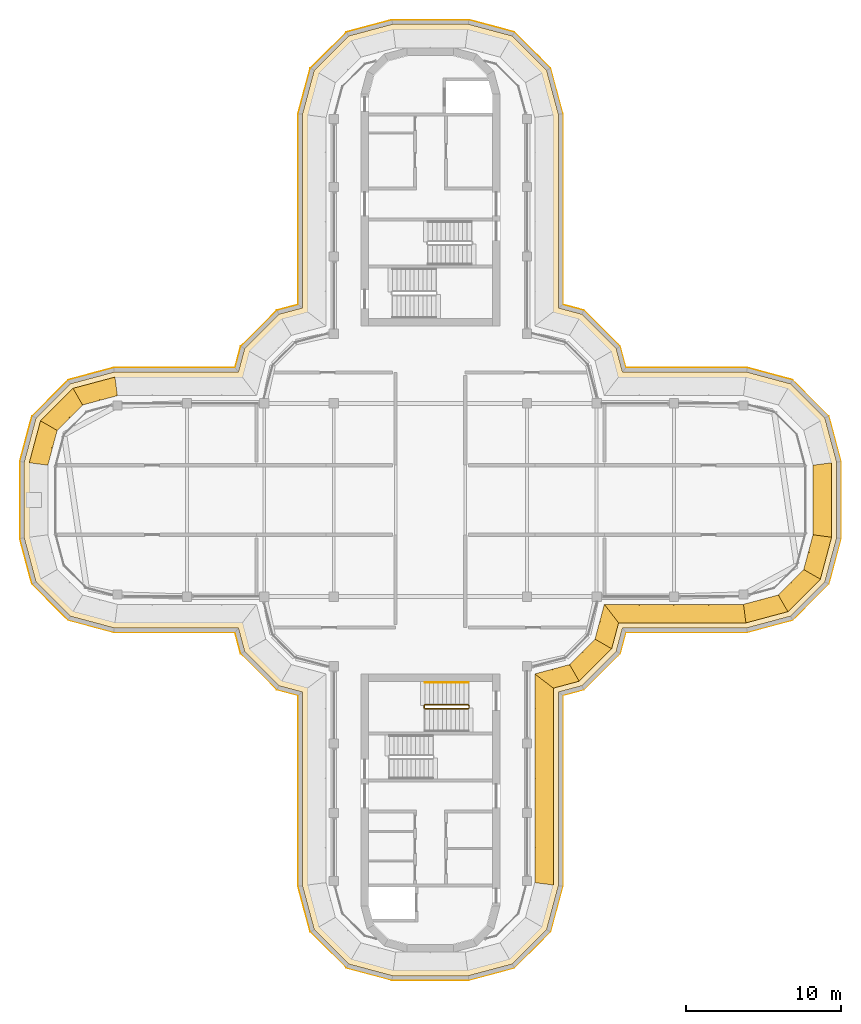
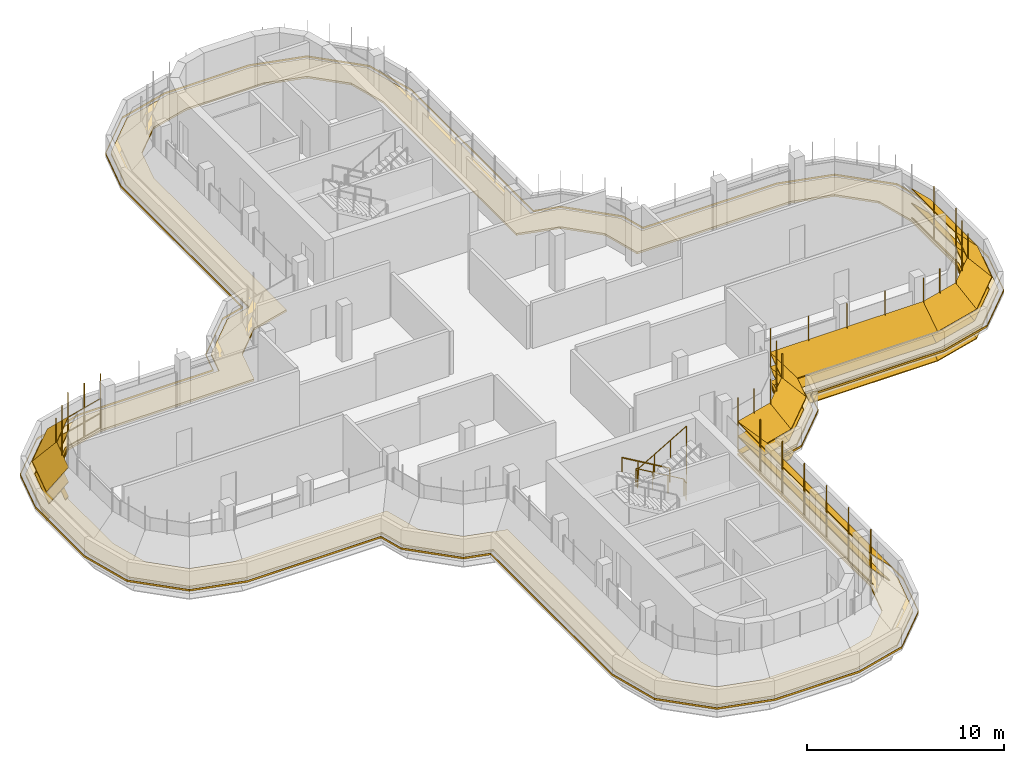
# One storey, part 17 of 19: 6 shading devices, 2 coverings, 2 railings.
"""IFC4 building model written with IfcOpenShell, lengths in metres."""

from ifc_helpers import new_model, si_unit, direction, frame, origin, origin_2d, place, context, subcontext, project, spatial, polyline, circle, outline, extrude, faceted_brep, source, transform, mapped, material, layer, layer_set, type_object, element, save


model = new_model("IFC4")

# Units and contexts
model_context = context("Model", 3, precision=1e-05, world=origin(), true_north=direction((0.0, 1.0)))
body_context = subcontext(model_context, "Body", "Model", "MODEL_VIEW")
ifc_project = project(units=[si_unit("LENGTHUNIT", "METRE"), si_unit("AREAUNIT", "SQUARE_METRE"), si_unit("VOLUMEUNIT", "CUBIC_METRE"), si_unit("PLANEANGLEUNIT", "RADIAN"), si_unit("MASSUNIT", "GRAM", prefix="KILO")], contexts=[model_context])

# Site, building, storey
site_placement = place(None, origin())
site = spatial("IfcSite", under=ifc_project, at=site_placement, CompositionType="ELEMENT")
building_placement = place(site_placement, origin())
building = spatial("IfcBuilding", under=site, at=building_placement, Name="Zarbagh Exchange Tower", CompositionType="ELEMENT")
storey_placement = place(building_placement, frame((0.0, 0.0, 295.199951171875)))
storey = spatial("IfcBuildingStorey", under=building, at=storey_placement, Name="L72", CompositionType="ELEMENT", Elevation=295.199951171875)

# Railings
ifc_material_1 = material(Name="Stainless steel", Category="steel")
railing_type_1 = type_object("IfcRailingType", Name="Stair guard 1100 mm", PredefinedType="GUARDRAIL", material=ifc_material_1)
railing_1_placement = place(storey_placement, frame((-0.35009765625, -13.5, 1.963623046875)))
element("IfcRailing", 1, at=railing_1_placement, inside=storey, type_object=railing_type_1, Name="ST4 stair guard 1", PredefinedType="GUARDRAIL", context=body_context, shape_type="SweptSolid", body=[
    extrude(circle(Radius=0.02392578125, at=origin_2d()), frame((0.0, 0.0, 1.076171875), z_axis=(0.863360870873, 0.0, 0.504586966384), x_axis=(0.0, 1.0, 0.0)), (0.0, 0.0, 1.0), 3.2431640625),
    extrude(circle(Radius=0.02392578125, at=origin_2d()), frame((2.800048828125, 0.0, 2.71240234375), z_axis=(0.013899389096, 0.013899389096, -0.999806788317), x_axis=(-0.707106781187, 0.707106781187, 0.0)), (0.0, 0.0, 1.0), 3.600830078125),
    extrude(circle(Radius=0.02392578125, at=origin_2d()), frame((2.85009765625, 0.050048828125, -0.8876953125), z_axis=(0.0, 1.0, 0.0), x_axis=(-1.0, 0.0, 0.0)), (0.0, 0.0, 1.0), 0.14990234375),
    extrude(circle(Radius=0.02392578125, at=origin_2d()), frame((2.85009765625, 0.199951171875, -0.8876953125), z_axis=(-0.280808744504, 0.280808744504, 0.917765164963), x_axis=(-0.707106781187, -0.707106781187, 0.0)), (0.0, 0.0, 1.0), 0.17822265625),
    extrude(circle(Radius=0.02392578125, at=origin_2d()), frame((2.800048828125, 0.25, -0.72412109375), z_axis=(-0.863360870873, 0.0, 0.504586966384), x_axis=(0.0, -1.0, 0.0)), (0.0, 0.0, 1.0), 3.2431640625),
    extrude(circle(Radius=0.02392578125, at=origin_2d()), frame((0.0, 0.25, 0.91259765625), z_axis=(-0.705375805398, -0.708833529934, 0.0), x_axis=(0.708833529934, -0.705375805398, 0.0)), (0.0, 0.0, 1.0), 0.070556640625),
    extrude(circle(Radius=0.02392578125, at=origin_2d()), frame((-0.0498046875, 0.199951171875, 0.91259765625), z_axis=(0.0, -1.0, 0.0), x_axis=(1.0, 0.0, 0.0)), (0.0, 0.0, 1.0), 0.14990234375),
    extrude(circle(Radius=0.02099609375, at=origin_2d()), origin(), (0.0, 0.0, 1.0), 1.052001953125),
    extrude(circle(Radius=0.02099609375, at=origin_2d()), frame((0.933349609375, 0.0, 0.54541015625)), (0.0, 0.0, 1.0), 1.052001953125),
    extrude(circle(Radius=0.02099609375, at=origin_2d()), frame((1.86669921875, 0.0, 1.091064453125)), (0.0, 0.0, 1.0), 1.052001953125),
    extrude(circle(Radius=0.02099609375, at=origin_2d()), frame((2.800048828125, 0.0, 1.636474609375)), (0.0, 0.0, 1.0), 1.052001953125),
    extrude(circle(Radius=0.02099609375, at=origin_2d()), frame((2.8125, 0.012451171875, 0.736328125)), (0.0, 0.0, 1.0), 1.052001953125),
    extrude(circle(Radius=0.02099609375, at=origin_2d()), frame((2.8251953125, 0.02490234375, -0.16357421875)), (0.0, 0.0, 1.0), 1.052001953125),
    extrude(circle(Radius=0.02099609375, at=origin_2d()), frame((2.837646484375, 0.03759765625, -1.0634765625)), (0.0, 0.0, 1.0), 1.052001953125),
    extrude(circle(Radius=0.02099609375, at=origin_2d()), frame((2.85009765625, 0.050048828125, -1.963623046875)), (0.0, 0.0, 1.0), 1.052001953125),
    extrude(circle(Radius=0.02099609375, at=origin_2d()), frame((2.85009765625, 0.199951171875, -1.963623046875)), (0.0, 0.0, 1.0), 1.052001953125),
    extrude(circle(Radius=0.02099609375, at=origin_2d()), frame((2.800048828125, 0.25, -1.800048828125)), (0.0, 0.0, 1.0), 1.052001953125),
    extrude(circle(Radius=0.02099609375, at=origin_2d()), frame((1.86669921875, 0.25, -1.254638671875)), (0.0, 0.0, 1.0), 1.052001953125),
    extrude(circle(Radius=0.02099609375, at=origin_2d()), frame((0.933349609375, 0.25, -0.708984375)), (0.0, 0.0, 1.0), 1.052001953125),
    extrude(circle(Radius=0.02099609375, at=origin_2d()), frame((0.0, 0.25, -0.16357421875)), (0.0, 0.0, 1.0), 1.052001953125),
    extrude(circle(Radius=0.02099609375, at=origin_2d()), frame((-0.0498046875, 0.199951171875, -0.16357421875)), (0.0, 0.0, 1.0), 1.052001953125),
    extrude(circle(Radius=0.02099609375, at=origin_2d()), frame((-0.0498046875, 0.050048828125, -0.16357421875)), (0.0, 0.0, 1.0), 1.052001953125),
])
railing_type_2 = type_object("IfcRailingType", Name="Stair handrail 900 mm", PredefinedType="HANDRAIL", material=ifc_material_1)
railing_2_placement = place(storey_placement, frame((2.449951171875, -11.800048828125, 0.16357421875)))
element("IfcRailing", 2, at=railing_2_placement, inside=storey, type_object=railing_type_2, Name="ST4 stair handrail 1", PredefinedType="HANDRAIL", context=body_context, shape_type="SweptSolid", body=[
    extrude(circle(Radius=0.02392578125, at=origin_2d()), frame((0.0, 0.0, 0.8759765625), z_axis=(-0.863360870873, 0.0, 0.504586966384), x_axis=(0.0, -1.0, 0.0)), (0.0, 0.0, 1.0), 3.2431640625),
    extrude(circle(Radius=0.02099609375, at=origin_2d()), origin(), (0.0, 0.0, 1.0), 0.851806640625),
    extrude(circle(Radius=0.02099609375, at=origin_2d()), frame((-0.933349609375, 0.0, 0.54541015625)), (0.0, 0.0, 1.0), 0.851806640625),
    extrude(circle(Radius=0.02099609375, at=origin_2d()), frame((-1.86669921875, 0.0, 1.091064453125)), (0.0, 0.0, 1.0), 0.851806640625),
    extrude(circle(Radius=0.02099609375, at=origin_2d()), frame((-2.800048828125, 0.0, 1.636474609375)), (0.0, 0.0, 1.0), 0.851806640625),
])

# Coverings
ifc_material_2 = material(Name="Bituminous membrane and screed")
ifc_layer = layer(ifc_material_2, 0.1201171875)
ifc_layer_set = layer_set([ifc_layer], Name="Terrace roofing build-up, waterproofing and screed")
covering_type = type_object("IfcCoveringType", Name="Terrace roofing build-up, waterproofing and screed", PredefinedType="ROOFING", material=ifc_layer_set)
covering_1_placement = place(storey_placement, origin())
element("IfcCovering", 3, at=covering_1_placement, inside=storey, type_object=covering_type, Name="crown roofing", PredefinedType="ROOFING", context=body_context, shape_type="SweptSolid", body=[
    extrude(outline(polyline([(-5.431640625, -30.260986328125), (-7.760986328125, -27.931640625), (-8.550048828125, -24.987060546875), (-8.550048828125, -12.631103515625), (-9.931640625, -12.260986328125), (-12.260986328125, -9.931640625), (-12.631103515625, -8.550048828125), (-20.487060546875, -8.550048828125), (-23.431640625, -7.760986328125), (-25.760986328125, -5.431640625), (-26.550048828125, -2.487060546875), (-26.550048828125, 2.487060546875), (-25.760986328125, 5.431640625), (-23.431640625, 7.760986328125), (-20.487060546875, 8.550048828125), (-12.631103515625, 8.550048828125), (-12.260986328125, 9.931640625), (-9.931640625, 12.260986328125), (-8.550048828125, 12.631103515625), (-8.550048828125, 24.987060546875), (-7.760986328125, 27.931640625), (-5.431640625, 30.260986328125), (-2.487060546875, 31.050048828125), (2.487060546875, 31.050048828125), (5.431640625, 30.260986328125), (7.760986328125, 27.931640625), (8.550048828125, 24.987060546875), (8.550048828125, 12.631103515625), (9.931640625, 12.260986328125), (12.260986328125, 9.931640625), (12.631103515625, 8.550048828125), (20.487060546875, 8.550048828125), (23.431640625, 7.760986328125), (25.760986328125, 5.431640625), (26.550048828125, 2.487060546875), (26.550048828125, -2.487060546875), (25.760986328125, -5.431640625), (23.431640625, -7.760986328125), (20.487060546875, -8.550048828125), (12.631103515625, -8.550048828125), (12.260986328125, -9.931640625), (9.931640625, -12.260986328125), (8.550048828125, -12.631103515625), (8.550048828125, -24.987060546875), (7.760986328125, -27.931640625), (5.431640625, -30.260986328125), (2.487060546875, -31.050048828125), (-2.487060546875, -31.050048828125), (-5.431640625, -30.260986328125)]), holes=[polyline([(-12.61572265625, -8.530029296875), (-12.242919921875, -9.92138671875), (-9.92138671875, -12.242919921875), (-8.530029296875, -12.61572265625), (-8.530029296875, -24.984375), (-7.742919921875, -27.92138671875), (-5.42138671875, -30.242919921875), (-2.484375, -31.030029296875), (2.484375, -31.030029296875), (5.42138671875, -30.242919921875), (7.742919921875, -27.92138671875), (8.530029296875, -24.984375), (8.530029296875, -12.61572265625), (9.92138671875, -12.242919921875), (12.242919921875, -9.92138671875), (12.61572265625, -8.530029296875), (20.484375, -8.530029296875), (23.42138671875, -7.742919921875), (25.742919921875, -5.42138671875), (26.530029296875, -2.484375), (26.530029296875, 2.484375), (25.742919921875, 5.42138671875), (23.42138671875, 7.742919921875), (20.484375, 8.530029296875), (12.61572265625, 8.530029296875), (12.242919921875, 9.92138671875), (9.92138671875, 12.242919921875), (8.530029296875, 12.61572265625), (8.530029296875, 24.984375), (7.742919921875, 27.92138671875), (5.42138671875, 30.242919921875), (2.484375, 31.030029296875), (-2.484375, 31.030029296875), (-5.42138671875, 30.242919921875), (-7.742919921875, 27.92138671875), (-8.530029296875, 24.984375), (-8.530029296875, 12.61572265625), (-9.92138671875, 12.242919921875), (-12.242919921875, 9.92138671875), (-12.61572265625, 8.530029296875), (-20.484375, 8.530029296875), (-23.42138671875, 7.742919921875), (-25.742919921875, 5.42138671875), (-26.530029296875, 2.484375), (-26.530029296875, -2.484375), (-25.742919921875, -5.42138671875), (-23.42138671875, -7.742919921875), (-20.484375, -8.530029296875), (-12.61572265625, -8.530029296875)])]), origin(), (0.0, 0.0, 1.0), 0.1201171875),
])
covering_2_placement = place(storey_placement, origin())
element("IfcCovering", 4, at=covering_2_placement, inside=storey, type_object=covering_type, Name="crown roofing", PredefinedType="ROOFING", context=body_context, shape_type="SweptSolid", body=[
    extrude(outline(polyline([(-8.280029296875, 24.951416015625), (-7.518798828125, 27.7919921875), (-5.2919921875, 30.018798828125), (-2.451416015625, 30.780029296875), (2.451416015625, 30.780029296875), (5.2919921875, 30.018798828125), (7.518798828125, 27.7919921875), (8.280029296875, 24.951416015625), (8.280029296875, 12.424072265625), (9.7919921875, 12.018798828125), (12.018798828125, 9.7919921875), (12.424072265625, 8.280029296875), (20.451416015625, 8.280029296875), (23.2919921875, 7.518798828125), (25.518798828125, 5.2919921875), (26.280029296875, 2.451416015625), (26.280029296875, -2.451416015625), (25.518798828125, -5.2919921875), (23.2919921875, -7.518798828125), (20.451416015625, -8.280029296875), (12.424072265625, -8.280029296875), (12.018798828125, -9.7919921875), (9.7919921875, -12.018798828125), (8.280029296875, -12.424072265625), (8.280029296875, -24.951416015625), (7.518798828125, -27.7919921875), (5.2919921875, -30.018798828125), (2.451416015625, -30.780029296875), (-2.451416015625, -30.780029296875), (-5.2919921875, -30.018798828125), (-7.518798828125, -27.7919921875), (-8.280029296875, -24.951416015625), (-8.280029296875, -12.424072265625), (-9.7919921875, -12.018798828125), (-12.018798828125, -9.7919921875), (-12.424072265625, -8.280029296875), (-20.451416015625, -8.280029296875), (-23.2919921875, -7.518798828125), (-25.518798828125, -5.2919921875), (-26.280029296875, -2.451416015625), (-26.280029296875, 2.451416015625), (-25.518798828125, 5.2919921875), (-23.2919921875, 7.518798828125), (-20.451416015625, 8.280029296875), (-12.424072265625, 8.280029296875), (-12.018798828125, 9.7919921875), (-9.7919921875, 12.018798828125), (-8.280029296875, 12.424072265625), (-8.280029296875, 24.951416015625)]), holes=[polyline([(6.147216796875, -27.0), (6.75, -24.75), (6.75, -11.25), (9.0, -10.647216796875), (10.647216796875, -9.0), (11.25, -6.75), (20.25, -6.75), (22.5, -6.147216796875), (24.147216796875, -4.5), (24.75, -2.25), (24.75, 2.25), (24.147216796875, 4.5), (22.5, 6.147216796875), (20.25, 6.75), (11.25, 6.75), (10.647216796875, 9.0), (9.0, 10.647216796875), (6.75, 11.25), (6.75, 24.75), (6.147216796875, 27.0), (4.5, 28.647216796875), (2.25, 29.25), (-2.25, 29.25), (-4.5, 28.647216796875), (-6.147216796875, 27.0), (-6.75, 24.75), (-6.75, 11.25), (-9.0, 10.647216796875), (-10.647216796875, 9.0), (-11.25, 6.75), (-20.25, 6.75), (-22.5, 6.147216796875), (-24.147216796875, 4.5), (-24.75, 2.25), (-24.75, -2.25), (-24.147216796875, -4.5), (-22.5, -6.147216796875), (-20.25, -6.75), (-11.25, -6.75), (-10.647216796875, -9.0), (-9.0, -10.647216796875), (-6.75, -11.25), (-6.75, -24.75), (-6.147216796875, -27.0), (-4.5, -28.647216796875), (-2.25, -29.25), (2.25, -29.25), (4.5, -28.647216796875), (6.147216796875, -27.0)])]), origin(), (0.0, 0.0, 1.0), 0.1201171875),
])

# Shading devices
ifc_material_3 = material(Name="Anodised aluminium blades and brackets", Category="aluminium")
shading_device_type = type_object("IfcShadingDeviceType", Name="SUNSHADE louvre band, 45 degree blades", PredefinedType="JALOUSIE", material=ifc_material_3)
shared_shape_1 = source(origin(), body_context, "Body", "Brep", [
    faceted_brep([(0.0, 0.0, 0.0), (0.0, 0.0, -0.056640625), (-0.157958984375, -1.199951171875, -1.256591796875), (-0.157958984375, -1.199951171875, -1.199951171875), (2.65087890625, -1.199951171875, -1.199951171875), (2.65087890625, -1.199951171875, -1.256591796875), (2.329345703125, 0.0, -0.056640625), (2.329345703125, 0.0, 0.0)], [[[0, 1, 2, 3]], [[4, 5, 6, 7]], [[0, 7, 6, 1]], [[1, 6, 5, 2]], [[2, 5, 4, 3]], [[3, 4, 7, 0]]]),
])
shared_shape_2 = source(origin(), body_context, "Body", "Brep", [
    faceted_brep([(0.0, 0.0, 0.0), (0.0, 0.0, -0.056640625), (-0.321533203125, -1.199951171875, -1.256591796875), (-0.321533203125, -1.199951171875, -1.199951171875), (2.65087890625, -1.199951171875, -1.199951171875), (2.65087890625, -1.199951171875, -1.256591796875), (2.329345703125, 0.0, -0.056640625), (2.329345703125, 0.0, 0.0)], [[[0, 1, 2, 3]], [[4, 5, 6, 7]], [[0, 7, 6, 1]], [[1, 6, 5, 2]], [[2, 5, 4, 3]], [[3, 4, 7, 0]]]),
])
shared_shape_3 = source(origin(), body_context, "Body", "Brep", [
    faceted_brep([(0.0, 0.0, 0.0), (0.0, 0.0, -0.056640625), (-0.321533203125, -1.199951171875, -1.256591796875), (-0.321533203125, -1.199951171875, -1.199951171875), (2.4873046875, -1.199951171875, -1.199951171875), (2.4873046875, -1.199951171875, -1.256591796875), (2.329345703125, 0.0, -0.056640625), (2.329345703125, 0.0, 0.0)], [[[0, 1, 2, 3]], [[4, 5, 6, 7]], [[0, 7, 6, 1]], [[1, 6, 5, 2]], [[2, 5, 4, 3]], [[3, 4, 7, 0]]]),
])
shared_shape_4 = source(origin(), body_context, "Body", "SweptSolid", [
    extrude(outline(polyline([(0.0, -0.012451171875), (0.06005859375, -0.012451171875), (0.06005859375, 0.012451171875), (0.0, 0.012451171875), (0.0, -0.012451171875)])), origin(), (0.0, 0.0, 1.0), 3.366455078125),
])
placement = place(storey_placement, origin())
element("IfcShadingDevice", 5, at=placement, inside=storey, type_object=shading_device_type, Name="SS58 sunshade band", PredefinedType="JALOUSIE", context=body_context, shape_type="MappedRepresentation", body=[
    mapped(shared_shape_1, transform((20.25, -6.75, 2.10009765625), x_axis=(0.965924289636, 0.258824779902, 0.0), y_axis=(-0.258824779902, 0.965924289636, 0.0), z_axis=(0.0, 0.0, 1.0))),
    mapped(shared_shape_1, transform((20.25, -6.75, 1.199951171875), x_axis=(0.965924289636, 0.258824779902, 0.0), y_axis=(-0.258824779902, 0.965924289636, 0.0), z_axis=(0.0, 0.0, 1.0))),
    mapped(shared_shape_1, transform((20.25, -6.75, 0.300048828125), x_axis=(0.965924289636, 0.258824779902, 0.0), y_axis=(-0.258824779902, 0.965924289636, 0.0), z_axis=(0.0, 0.0, 1.0))),
    mapped(shared_shape_2, transform((22.5, -6.147216796875, 2.10009765625), x_axis=(0.707106781187, 0.707106781187, 0.0), y_axis=(-0.707106781187, 0.707106781187, 0.0), z_axis=(0.0, 0.0, 1.0))),
    mapped(shared_shape_2, transform((22.5, -6.147216796875, 1.199951171875), x_axis=(0.707106781187, 0.707106781187, 0.0), y_axis=(-0.707106781187, 0.707106781187, 0.0), z_axis=(0.0, 0.0, 1.0))),
    mapped(shared_shape_2, transform((22.5, -6.147216796875, 0.300048828125), x_axis=(0.707106781187, 0.707106781187, 0.0), y_axis=(-0.707106781187, 0.707106781187, 0.0), z_axis=(0.0, 0.0, 1.0))),
    mapped(shared_shape_3, transform((24.147216796875, -4.5, 2.10009765625), x_axis=(0.258824779902, 0.965924289636, 0.0), y_axis=(-0.965924289636, 0.258824779902, 0.0), z_axis=(0.0, 0.0, 1.0))),
    mapped(shared_shape_3, transform((24.147216796875, -4.5, 1.199951171875), x_axis=(0.258824779902, 0.965924289636, 0.0), y_axis=(-0.965924289636, 0.258824779902, 0.0), z_axis=(0.0, 0.0, 1.0))),
    mapped(shared_shape_3, transform((24.147216796875, -4.5, 0.300048828125), x_axis=(0.258824779902, 0.965924289636, 0.0), y_axis=(-0.965924289636, 0.258824779902, 0.0), z_axis=(0.0, 0.0, 1.0))),
    mapped(shared_shape_4, transform((20.25, -6.75, 0.21337890625), x_axis=(0.130529263012, -0.991444457092, 0.0), y_axis=(0.991444457092, 0.130529263012, 0.0), z_axis=(0.0, 0.0, 1.0))),
    mapped(shared_shape_4, transform((21.375, -6.448486328125, 0.21337890625), x_axis=(0.258825058029, -0.96592421511, 0.0), y_axis=(0.96592421511, 0.258825058029, 0.0), z_axis=(0.0, 0.0, 1.0))),
    mapped(shared_shape_4, transform((22.5, -6.147216796875, 0.21337890625), x_axis=(0.50000275701, -0.866023812018, 0.0), y_axis=(0.866023812018, 0.50000275701, 0.0), z_axis=(0.0, 0.0, 1.0))),
    mapped(shared_shape_4, transform((23.323486328125, -5.323486328125, 0.21337890625), x_axis=(0.707106781187, -0.707106781187, 0.0), y_axis=(0.707106781187, 0.707106781187, 0.0), z_axis=(0.0, 0.0, 1.0))),
    mapped(shared_shape_4, transform((24.147216796875, -4.5, 0.21337890625), x_axis=(0.866023812018, -0.50000275701, 0.0), y_axis=(0.50000275701, 0.866023812018, 0.0), z_axis=(0.0, 0.0, 1.0))),
    mapped(shared_shape_4, transform((24.448486328125, -3.375, 0.21337890625), x_axis=(0.96592421511, -0.258825058029, 0.0), y_axis=(0.258825058029, 0.96592421511, 0.0), z_axis=(0.0, 0.0, 1.0))),
])
element("IfcShadingDevice", 6, at=placement, inside=storey, type_object=shading_device_type, Name="SS63 sunshade band", PredefinedType="JALOUSIE", context=body_context, shape_type="MappedRepresentation", body=[
    mapped(shared_shape_1, transform((-20.25, 6.75, 2.10009765625), x_axis=(-0.965924289636, -0.258824779902, 0.0), y_axis=(0.258824779902, -0.965924289636, 0.0), z_axis=(0.0, 0.0, 1.0))),
    mapped(shared_shape_1, transform((-20.25, 6.75, 1.199951171875), x_axis=(-0.965924289636, -0.258824779902, 0.0), y_axis=(0.258824779902, -0.965924289636, 0.0), z_axis=(0.0, 0.0, 1.0))),
    mapped(shared_shape_1, transform((-20.25, 6.75, 0.300048828125), x_axis=(-0.965924289636, -0.258824779902, 0.0), y_axis=(0.258824779902, -0.965924289636, 0.0), z_axis=(0.0, 0.0, 1.0))),
    mapped(shared_shape_2, transform((-22.5, 6.147216796875, 2.10009765625), x_axis=(-0.707106781187, -0.707106781187, 0.0), y_axis=(0.707106781187, -0.707106781187, 0.0), z_axis=(0.0, 0.0, 1.0))),
    mapped(shared_shape_2, transform((-22.5, 6.147216796875, 1.199951171875), x_axis=(-0.707106781187, -0.707106781187, 0.0), y_axis=(0.707106781187, -0.707106781187, 0.0), z_axis=(0.0, 0.0, 1.0))),
    mapped(shared_shape_2, transform((-22.5, 6.147216796875, 0.300048828125), x_axis=(-0.707106781187, -0.707106781187, 0.0), y_axis=(0.707106781187, -0.707106781187, 0.0), z_axis=(0.0, 0.0, 1.0))),
    mapped(shared_shape_3, transform((-24.147216796875, 4.5, 2.10009765625), x_axis=(-0.258824779902, -0.965924289636, 0.0), y_axis=(0.965924289636, -0.258824779902, 0.0), z_axis=(0.0, 0.0, 1.0))),
    mapped(shared_shape_3, transform((-24.147216796875, 4.5, 1.199951171875), x_axis=(-0.258824779902, -0.965924289636, 0.0), y_axis=(0.965924289636, -0.258824779902, 0.0), z_axis=(0.0, 0.0, 1.0))),
    mapped(shared_shape_3, transform((-24.147216796875, 4.5, 0.300048828125), x_axis=(-0.258824779902, -0.965924289636, 0.0), y_axis=(0.965924289636, -0.258824779902, 0.0), z_axis=(0.0, 0.0, 1.0))),
    mapped(shared_shape_4, transform((-20.25, 6.75, 0.21337890625), x_axis=(-0.130529263012, 0.991444457092, 0.0), y_axis=(-0.991444457092, -0.130529263012, 0.0), z_axis=(0.0, 0.0, 1.0))),
    mapped(shared_shape_4, transform((-21.375, 6.448486328125, 0.21337890625), x_axis=(-0.258825058029, 0.96592421511, 0.0), y_axis=(-0.96592421511, -0.258825058029, 0.0), z_axis=(0.0, 0.0, 1.0))),
    mapped(shared_shape_4, transform((-22.5, 6.147216796875, 0.21337890625), x_axis=(-0.50000275701, 0.866023812018, 0.0), y_axis=(-0.866023812018, -0.50000275701, 0.0), z_axis=(0.0, 0.0, 1.0))),
    mapped(shared_shape_4, transform((-23.323486328125, 5.323486328125, 0.21337890625), x_axis=(-0.707106781187, 0.707106781187, 0.0), y_axis=(-0.707106781187, -0.707106781187, 0.0), z_axis=(0.0, 0.0, 1.0))),
    mapped(shared_shape_4, transform((-24.147216796875, 4.5, 0.21337890625), x_axis=(-0.866023812018, 0.50000275701, 0.0), y_axis=(-0.50000275701, -0.866023812018, 0.0), z_axis=(0.0, 0.0, 1.0))),
    mapped(shared_shape_4, transform((-24.448486328125, 3.375, 0.21337890625), x_axis=(-0.96592421511, 0.258825058029, 0.0), y_axis=(-0.258825058029, -0.96592421511, 0.0), z_axis=(0.0, 0.0, 1.0))),
])
shared_shape_5 = source(origin(), body_context, "Body", "Brep", [
    faceted_brep([(0.0, 0.0, 0.0), (0.0, 0.0, -0.056640625), (0.9208984375, -1.199951171875, -1.256591796875), (0.9208984375, -1.199951171875, -1.199951171875), (2.65087890625, -1.199951171875, -1.199951171875), (2.65087890625, -1.199951171875, -1.256591796875), (2.329345703125, 0.0, -0.056640625), (2.329345703125, 0.0, 0.0)], [[[0, 1, 2, 3]], [[4, 5, 6, 7]], [[0, 7, 6, 1]], [[1, 6, 5, 2]], [[2, 5, 4, 3]], [[3, 4, 7, 0]]]),
])
shared_shape_6 = source(origin(), body_context, "Body", "Brep", [
    faceted_brep([(0.0, 0.0, 0.0), (0.0, 0.0, -0.056640625), (-0.321533203125, -1.199951171875, -1.256591796875), (-0.321533203125, -1.199951171875, -1.199951171875), (1.40869140625, -1.199951171875, -1.199951171875), (1.40869140625, -1.199951171875, -1.256591796875), (2.329345703125, 0.0, -0.056640625), (2.329345703125, 0.0, 0.0)], [[[0, 1, 2, 3]], [[4, 5, 6, 7]], [[0, 7, 6, 1]], [[1, 6, 5, 2]], [[2, 5, 4, 3]], [[3, 4, 7, 0]]]),
])
element("IfcShadingDevice", 7, at=placement, inside=storey, type_object=shading_device_type, Name="SS03 sunshade band", PredefinedType="JALOUSIE", context=body_context, shape_type="MappedRepresentation", body=[
    mapped(shared_shape_5, transform((6.75, -11.25, 2.10009765625), x_axis=(0.965924289636, 0.258824779902, 0.0), y_axis=(-0.258824779902, 0.965924289636, 0.0), z_axis=(0.0, 0.0, 1.0))),
    mapped(shared_shape_5, transform((6.75, -11.25, 1.199951171875), x_axis=(0.965924289636, 0.258824779902, 0.0), y_axis=(-0.258824779902, 0.965924289636, 0.0), z_axis=(0.0, 0.0, 1.0))),
    mapped(shared_shape_5, transform((6.75, -11.25, 0.300048828125), x_axis=(0.965924289636, 0.258824779902, 0.0), y_axis=(-0.258824779902, 0.965924289636, 0.0), z_axis=(0.0, 0.0, 1.0))),
    mapped(shared_shape_2, transform((9.0, -10.647216796875, 2.10009765625), x_axis=(0.707106781187, 0.707106781187, 0.0), y_axis=(-0.707106781187, 0.707106781187, 0.0), z_axis=(0.0, 0.0, 1.0))),
    mapped(shared_shape_2, transform((9.0, -10.647216796875, 1.199951171875), x_axis=(0.707106781187, 0.707106781187, 0.0), y_axis=(-0.707106781187, 0.707106781187, 0.0), z_axis=(0.0, 0.0, 1.0))),
    mapped(shared_shape_2, transform((9.0, -10.647216796875, 0.300048828125), x_axis=(0.707106781187, 0.707106781187, 0.0), y_axis=(-0.707106781187, 0.707106781187, 0.0), z_axis=(0.0, 0.0, 1.0))),
    mapped(shared_shape_6, transform((10.647216796875, -9.0, 2.10009765625), x_axis=(0.258824779902, 0.965924289636, 0.0), y_axis=(-0.965924289636, 0.258824779902, 0.0), z_axis=(0.0, 0.0, 1.0))),
    mapped(shared_shape_6, transform((10.647216796875, -9.0, 1.199951171875), x_axis=(0.258824779902, 0.965924289636, 0.0), y_axis=(-0.965924289636, 0.258824779902, 0.0), z_axis=(0.0, 0.0, 1.0))),
    mapped(shared_shape_6, transform((10.647216796875, -9.0, 0.300048828125), x_axis=(0.258824779902, 0.965924289636, 0.0), y_axis=(-0.965924289636, 0.258824779902, 0.0), z_axis=(0.0, 0.0, 1.0))),
    mapped(shared_shape_4, transform((6.75, -11.25, 0.21337890625), x_axis=(0.793355287, -0.608758892, 0.0), y_axis=(0.608758892, 0.793355287, 0.0), z_axis=(0.0, 0.0, 1.0))),
    mapped(shared_shape_4, transform((7.875, -10.948486328125, 0.21337890625), x_axis=(0.258825058029, -0.96592421511, 0.0), y_axis=(0.96592421511, 0.258825058029, 0.0), z_axis=(0.0, 0.0, 1.0))),
    mapped(shared_shape_4, transform((9.0, -10.647216796875, 0.21337890625), x_axis=(0.50000275701, -0.866023812018, 0.0), y_axis=(0.866023812018, 0.50000275701, 0.0), z_axis=(0.0, 0.0, 1.0))),
    mapped(shared_shape_4, transform((9.823486328125, -9.823486328125, 0.21337890625), x_axis=(0.707106781187, -0.707106781187, 0.0), y_axis=(0.707106781187, 0.707106781187, 0.0), z_axis=(0.0, 0.0, 1.0))),
    mapped(shared_shape_4, transform((10.647216796875, -9.0, 0.21337890625), x_axis=(0.866023812018, -0.50000275701, 0.0), y_axis=(0.50000275701, 0.866023812018, 0.0), z_axis=(0.0, 0.0, 1.0))),
    mapped(shared_shape_4, transform((10.948486328125, -7.875, 0.21337890625), x_axis=(0.96592421511, -0.258825058029, 0.0), y_axis=(0.258825058029, 0.96592421511, 0.0), z_axis=(0.0, 0.0, 1.0))),
])
shared_shape_7 = source(origin(), body_context, "Body", "Brep", [
    faceted_brep([(0.0, 0.0, 0.0), (0.0, 0.0, -0.056640625), (-0.157958984375, -1.199951171875, -1.256591796875), (-0.157958984375, -1.199951171875, -1.199951171875), (12.5791015625, -1.199951171875, -1.199951171875), (12.5791015625, -1.199951171875, -1.256591796875), (13.5, 0.0, -0.056640625), (13.5, 0.0, 0.0)], [[[0, 1, 2, 3]], [[4, 5, 6, 7]], [[0, 7, 6, 1]], [[1, 6, 5, 2]], [[2, 5, 4, 3]], [[3, 4, 7, 0]]]),
])
element("IfcShadingDevice", 8, at=placement, inside=storey, type_object=shading_device_type, Name="SS56 sunshade band", PredefinedType="JALOUSIE", context=body_context, shape_type="MappedRepresentation", body=[
    mapped(shared_shape_7, transform((6.75, -24.75, 2.10009765625), x_axis=(0.0, 1.0, 0.0), y_axis=(-1.0, 0.0, 0.0), z_axis=(0.0, 0.0, 1.0))),
    mapped(shared_shape_7, transform((6.75, -24.75, 1.199951171875), x_axis=(0.0, 1.0, 0.0), y_axis=(-1.0, 0.0, 0.0), z_axis=(0.0, 0.0, 1.0))),
    mapped(shared_shape_7, transform((6.75, -24.75, 0.300048828125), x_axis=(0.0, 1.0, 0.0), y_axis=(-1.0, 0.0, 0.0), z_axis=(0.0, 0.0, 1.0))),
    mapped(shared_shape_4, transform((6.75, -24.75, 0.21337890625), x_axis=(0.991444457092, -0.130529263012, 0.0), y_axis=(0.130529263012, 0.991444457092, 0.0), z_axis=(0.0, 0.0, 1.0))),
    mapped(shared_shape_4, transform((6.75, -22.5, 0.21337890625), x_axis=(1.0, 0.0, 0.0), y_axis=(0.0, 1.0, 0.0), z_axis=(0.0, 0.0, 1.0))),
    mapped(shared_shape_4, transform((6.75, -20.25, 0.21337890625), x_axis=(1.0, 0.0, 0.0), y_axis=(0.0, 1.0, 0.0), z_axis=(0.0, 0.0, 1.0))),
    mapped(shared_shape_4, transform((6.75, -18.0, 0.21337890625), x_axis=(1.0, 0.0, 0.0), y_axis=(0.0, 1.0, 0.0), z_axis=(0.0, 0.0, 1.0))),
    mapped(shared_shape_4, transform((6.75, -15.75, 0.21337890625), x_axis=(1.0, 0.0, 0.0), y_axis=(0.0, 1.0, 0.0), z_axis=(0.0, 0.0, 1.0))),
    mapped(shared_shape_4, transform((6.75, -13.5, 0.21337890625), x_axis=(1.0, 0.0, 0.0), y_axis=(0.0, 1.0, 0.0), z_axis=(0.0, 0.0, 1.0))),
])
shared_shape_8 = source(origin(), body_context, "Body", "Brep", [
    faceted_brep([(0.0, 0.0, 0.0), (0.0, 0.0, -0.056640625), (0.9208984375, -1.199951171875, -1.256591796875), (0.9208984375, -1.199951171875, -1.199951171875), (9.157958984375, -1.199951171875, -1.199951171875), (9.157958984375, -1.199951171875, -1.256591796875), (9.0, 0.0, -0.056640625), (9.0, 0.0, 0.0)], [[[0, 1, 2, 3]], [[4, 5, 6, 7]], [[0, 7, 6, 1]], [[1, 6, 5, 2]], [[2, 5, 4, 3]], [[3, 4, 7, 0]]]),
])
element("IfcShadingDevice", 9, at=placement, inside=storey, type_object=shading_device_type, Name="SS57 sunshade band", PredefinedType="JALOUSIE", context=body_context, shape_type="MappedRepresentation", body=[
    mapped(shared_shape_8, transform((11.25, -6.75, 2.10009765625), x_axis=(1.0, 0.0, 0.0), y_axis=(0.0, 1.0, 0.0), z_axis=(0.0, 0.0, 1.0))),
    mapped(shared_shape_8, transform((11.25, -6.75, 1.199951171875), x_axis=(1.0, 0.0, 0.0), y_axis=(0.0, 1.0, 0.0), z_axis=(0.0, 0.0, 1.0))),
    mapped(shared_shape_8, transform((11.25, -6.75, 0.300048828125), x_axis=(1.0, 0.0, 0.0), y_axis=(0.0, 1.0, 0.0), z_axis=(0.0, 0.0, 1.0))),
    mapped(shared_shape_4, transform((11.25, -6.75, 0.21337890625), x_axis=(0.608758892, -0.793355287, 0.0), y_axis=(0.793355287, 0.608758892, 0.0), z_axis=(0.0, 0.0, 1.0))),
    mapped(shared_shape_4, transform((13.5, -6.75, 0.21337890625), x_axis=(0.0, -1.0, 0.0), y_axis=(1.0, 0.0, 0.0), z_axis=(0.0, 0.0, 1.0))),
    mapped(shared_shape_4, transform((15.75, -6.75, 0.21337890625), x_axis=(0.0, -1.0, 0.0), y_axis=(1.0, 0.0, 0.0), z_axis=(0.0, 0.0, 1.0))),
    mapped(shared_shape_4, transform((18.0, -6.75, 0.21337890625), x_axis=(0.0, -1.0, 0.0), y_axis=(1.0, 0.0, 0.0), z_axis=(0.0, 0.0, 1.0))),
])
shared_shape_9 = source(origin(), body_context, "Body", "Brep", [
    faceted_brep([(0.0, 0.0, 0.0), (0.0, 0.0, -0.056640625), (-0.157958984375, -1.199951171875, -1.256591796875), (-0.157958984375, -1.199951171875, -1.199951171875), (4.657958984375, -1.199951171875, -1.199951171875), (4.657958984375, -1.199951171875, -1.256591796875), (4.5, 0.0, -0.056640625), (4.5, 0.0, 0.0)], [[[0, 1, 2, 3]], [[4, 5, 6, 7]], [[0, 7, 6, 1]], [[1, 6, 5, 2]], [[2, 5, 4, 3]], [[3, 4, 7, 0]]]),
])
element("IfcShadingDevice", 10, at=placement, inside=storey, type_object=shading_device_type, Name="SS59 sunshade band", PredefinedType="JALOUSIE", context=body_context, shape_type="MappedRepresentation", body=[
    mapped(shared_shape_9, transform((24.75, -2.25, 2.10009765625), x_axis=(0.0, 1.0, 0.0), y_axis=(-1.0, 0.0, 0.0), z_axis=(0.0, 0.0, 1.0))),
    mapped(shared_shape_9, transform((24.75, -2.25, 1.199951171875), x_axis=(0.0, 1.0, 0.0), y_axis=(-1.0, 0.0, 0.0), z_axis=(0.0, 0.0, 1.0))),
    mapped(shared_shape_9, transform((24.75, -2.25, 0.300048828125), x_axis=(0.0, 1.0, 0.0), y_axis=(-1.0, 0.0, 0.0), z_axis=(0.0, 0.0, 1.0))),
    mapped(shared_shape_4, transform((24.75, -2.25, 0.21337890625), x_axis=(0.991444457092, -0.130529263012, 0.0), y_axis=(0.130529263012, 0.991444457092, 0.0), z_axis=(0.0, 0.0, 1.0))),
    mapped(shared_shape_4, transform((24.75, 0.0, 0.21337890625), x_axis=(1.0, 0.0, 0.0), y_axis=(0.0, 1.0, 0.0), z_axis=(0.0, 0.0, 1.0))),
])

save(model, "model.ifc")
